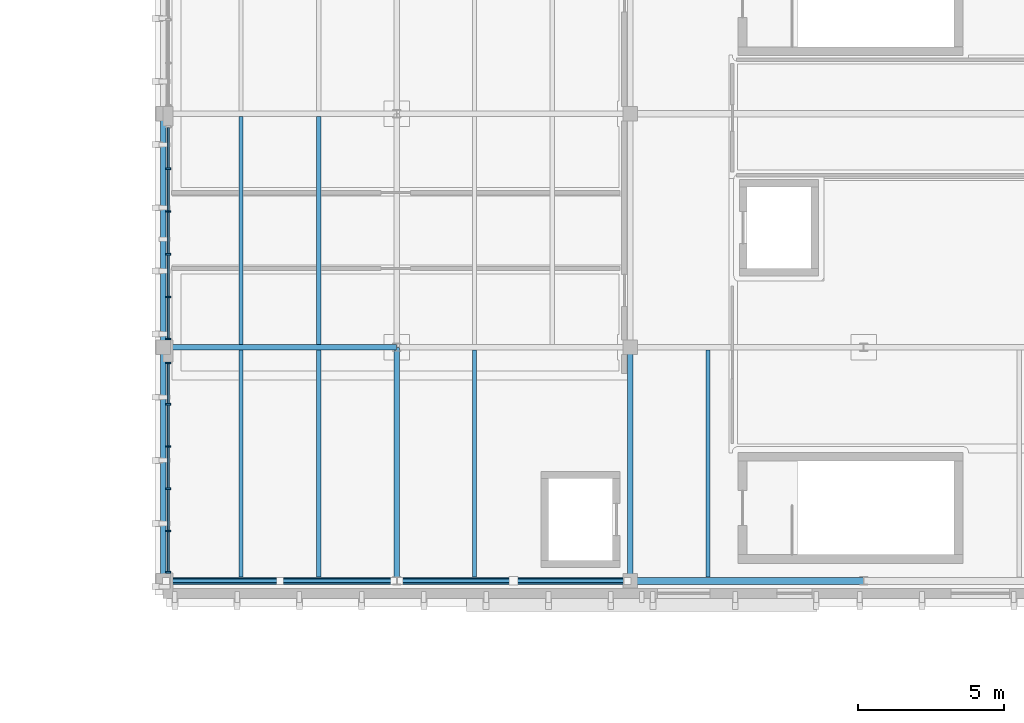
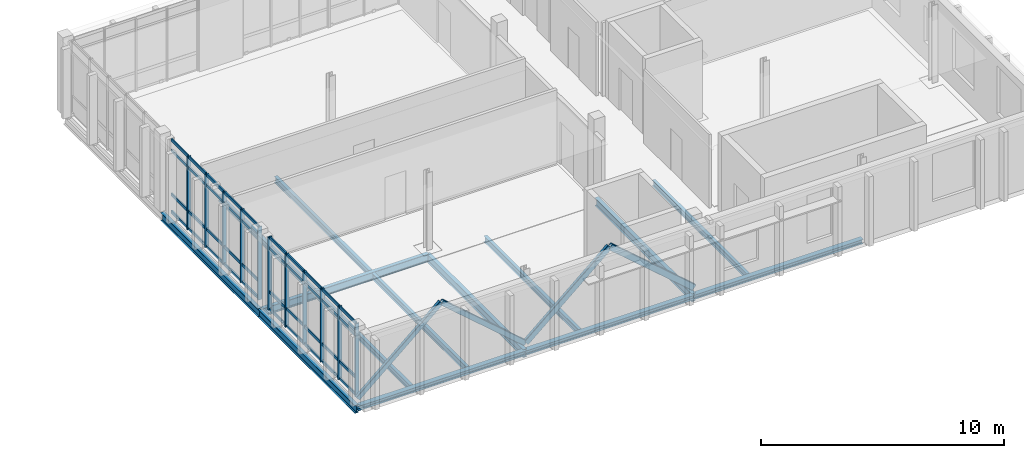
# One storey, part 3 of 28: 55 members, 14 beams, 2 elements without a shape of their own.
"""IFC4 building model written with IfcOpenShell, lengths in metres."""

from ifc_helpers import new_model, si_unit, direction, frame, origin, origin_2d, place, context, subcontext, project, spatial, rectangle, hollow_rectangle, i_section, extrude, material, material_profile, profile_set, type_object, element, aggregate, save


model = new_model("IFC4")

# Units and contexts
model_context = context("Model", 3, precision=1e-05, world=origin(), true_north=direction((0.0, 1.0)))
body_context = subcontext(model_context, "Body", "Model", "MODEL_VIEW")
ifc_project = project(units=[si_unit("LENGTHUNIT", "METRE"), si_unit("AREAUNIT", "SQUARE_METRE"), si_unit("VOLUMEUNIT", "CUBIC_METRE"), si_unit("PLANEANGLEUNIT", "RADIAN"), si_unit("MASSUNIT", "GRAM", prefix="KILO")], contexts=[model_context])

# Site, building, storey
site_placement = place(None, origin())
site = spatial("IfcSite", under=ifc_project, at=site_placement, CompositionType="ELEMENT")
building_placement = place(site_placement, origin())
building = spatial("IfcBuilding", under=site, at=building_placement, Name="Cymarion Research Institute", CompositionType="ELEMENT")
storey_placement = place(building_placement, frame((0.0, 0.0, 30.60009765625)))
storey = spatial("IfcBuildingStorey", under=building, at=storey_placement, Name="L07", CompositionType="ELEMENT", Elevation=30.60009765625)

# Curtain wall, members
ifc_material_1 = material(Name="Anodised aluminium unitised curtain wall with Low-E glazing", Category="aluminium")
curtain_wall_type_1 = type_object("IfcCurtainWallType", Name="UNITISED CURTAIN WALL CW76 7330X3660", PredefinedType="NOTDEFINED", material=ifc_material_1)
curtain_wall_1_placement = place(storey_placement, origin())
curtain_wall_1 = element("IfcCurtainWall", 1, at=curtain_wall_1_placement, inside=storey, type_object=curtain_wall_type_1, Name="L07 V4 unitised curtain wall CW76 #241", PredefinedType="NOTDEFINED")
ifc_material_2 = material(Name="Anodised aluminium framing", Category="aluminium")
ifc_material_profile_1 = material_profile(ifc_material_2, rectangle(XDim=0.06005859375, YDim=0.179931640625, at=origin_2d()), Name="ALU MULLION 60x180")
ifc_profile_set_1 = profile_set([ifc_material_profile_1], Name="Anodised aluminium framing")
member_type_1 = type_object("IfcMemberType", Name="CURTAIN WALL MULLION ML01 60X180", PredefinedType="MULLION", material=ifc_profile_set_1)
member_1_placement = place(storey_placement, frame((14.77001953125, 61.620361328125, 0.0), z_axis=(0.0, 0.0, 1.0), x_axis=(0.0, -1.0, 0.0)))
member_1 = element("IfcMember", 2, at=member_1_placement, type_object=member_type_1, Name="CW76 mullion 2", PredefinedType="MULLION", context=body_context, shape_type="SweptSolid", body=[
    extrude(rectangle(XDim=0.06005859375, YDim=0.179931640625, at=origin_2d()), origin(), (0.0, 0.0, 1.0), 3.659912109375),
])
member_2_placement = place(storey_placement, frame((14.77001953125, 60.1552734375, 0.0), z_axis=(0.0, 0.0, 1.0), x_axis=(0.0, -1.0, 0.0)))
member_2 = element("IfcMember", 3, at=member_2_placement, type_object=member_type_1, Name="CW76 mullion 3", PredefinedType="MULLION", context=body_context, shape_type="SweptSolid", body=[
    extrude(rectangle(XDim=0.06005859375, YDim=0.179931640625, at=origin_2d()), origin(), (0.0, 0.0, 1.0), 3.659912109375),
])
member_3_placement = place(storey_placement, frame((14.77001953125, 58.690185546875, 0.0), z_axis=(0.0, 0.0, 1.0), x_axis=(0.0, -1.0, 0.0)))
member_3 = element("IfcMember", 4, at=member_3_placement, type_object=member_type_1, Name="CW76 mullion 4", PredefinedType="MULLION", context=body_context, shape_type="SweptSolid", body=[
    extrude(rectangle(XDim=0.06005859375, YDim=0.179931640625, at=origin_2d()), origin(), (0.0, 0.0, 1.0), 3.659912109375),
])
member_4_placement = place(storey_placement, frame((14.77001953125, 57.22509765625, 0.0), z_axis=(0.0, 0.0, 1.0), x_axis=(0.0, -1.0, 0.0)))
member_4 = element("IfcMember", 5, at=member_4_placement, type_object=member_type_1, Name="CW76 mullion 5", PredefinedType="MULLION", context=body_context, shape_type="SweptSolid", body=[
    extrude(rectangle(XDim=0.06005859375, YDim=0.179931640625, at=origin_2d()), origin(), (0.0, 0.0, 1.0), 3.659912109375),
])
member_5_placement = place(storey_placement, frame((14.77001953125, 55.7900390625, 0.0), z_axis=(0.0, 0.0, 1.0), x_axis=(0.0, -1.0, 0.0)))
member_5 = element("IfcMember", 6, at=member_5_placement, type_object=member_type_1, Name="CW76 mullion 6", PredefinedType="MULLION", context=body_context, shape_type="SweptSolid", body=[
    extrude(rectangle(XDim=0.06005859375, YDim=0.179931640625, at=origin_2d()), origin(), (0.0, 0.0, 1.0), 3.659912109375),
])

curtain_wall_type_2 = type_object("IfcCurtainWallType", Name="UNITISED CURTAIN WALL CW77 7230X3660", PredefinedType="NOTDEFINED", material=ifc_material_1)
curtain_wall_2_placement = place(storey_placement, origin())
curtain_wall_2 = element("IfcCurtainWall", 7, at=curtain_wall_2_placement, inside=storey, type_object=curtain_wall_type_2, Name="L07 V4 unitised curtain wall CW77 #242", PredefinedType="NOTDEFINED")
member_6_placement = place(storey_placement, frame((14.77001953125, 54.962646484375, 0.0), z_axis=(0.0, 0.0, 1.0), x_axis=(0.0, -1.0, 0.0)))
member_6 = element("IfcMember", 8, at=member_6_placement, type_object=member_type_1, Name="CW77 mullion 1", PredefinedType="MULLION", context=body_context, shape_type="SweptSolid", body=[
    extrude(rectangle(XDim=0.06005859375, YDim=0.179931640625, at=origin_2d()), origin(), (0.0, 0.0, 1.0), 3.659912109375),
])
member_7_placement = place(storey_placement, frame((14.77001953125, 53.546142578125, 0.0), z_axis=(0.0, 0.0, 1.0), x_axis=(0.0, -1.0, 0.0)))
member_7 = element("IfcMember", 9, at=member_7_placement, type_object=member_type_1, Name="CW77 mullion 2", PredefinedType="MULLION", context=body_context, shape_type="SweptSolid", body=[
    extrude(rectangle(XDim=0.06005859375, YDim=0.179931640625, at=origin_2d()), origin(), (0.0, 0.0, 1.0), 3.659912109375),
])
member_8_placement = place(storey_placement, frame((14.77001953125, 52.099609375, 0.0), z_axis=(0.0, 0.0, 1.0), x_axis=(0.0, -1.0, 0.0)))
member_8 = element("IfcMember", 10, at=member_8_placement, type_object=member_type_1, Name="CW77 mullion 3", PredefinedType="MULLION", context=body_context, shape_type="SweptSolid", body=[
    extrude(rectangle(XDim=0.06005859375, YDim=0.179931640625, at=origin_2d()), origin(), (0.0, 0.0, 1.0), 3.659912109375),
])
member_9_placement = place(storey_placement, frame((14.77001953125, 50.653076171875, 0.0), z_axis=(0.0, 0.0, 1.0), x_axis=(0.0, -1.0, 0.0)))
member_9 = element("IfcMember", 11, at=member_9_placement, type_object=member_type_1, Name="CW77 mullion 4", PredefinedType="MULLION", context=body_context, shape_type="SweptSolid", body=[
    extrude(rectangle(XDim=0.06005859375, YDim=0.179931640625, at=origin_2d()), origin(), (0.0, 0.0, 1.0), 3.659912109375),
])
member_10_placement = place(storey_placement, frame((14.77001953125, 49.20654296875, 0.0), z_axis=(0.0, 0.0, 1.0), x_axis=(0.0, -1.0, 0.0)))
member_10 = element("IfcMember", 12, at=member_10_placement, type_object=member_type_1, Name="CW77 mullion 5", PredefinedType="MULLION", context=body_context, shape_type="SweptSolid", body=[
    extrude(rectangle(XDim=0.06005859375, YDim=0.179931640625, at=origin_2d()), origin(), (0.0, 0.0, 1.0), 3.659912109375),
])
member_11_placement = place(storey_placement, frame((14.77001953125, 47.7900390625, 0.0), z_axis=(0.0, 0.0, 1.0), x_axis=(0.0, -1.0, 0.0)))
member_11 = element("IfcMember", 13, at=member_11_placement, type_object=member_type_1, Name="CW77 mullion 6", PredefinedType="MULLION", context=body_context, shape_type="SweptSolid", body=[
    extrude(rectangle(XDim=0.06005859375, YDim=0.179931640625, at=origin_2d()), origin(), (0.0, 0.0, 1.0), 3.659912109375),
])

# Member
ifc_material_profile_2 = material_profile(ifc_material_2, rectangle(XDim=0.06005859375, YDim=0.14990234375, at=origin_2d()), Name="ALU TRANSOM 60x150")
ifc_profile_set_2 = profile_set([ifc_material_profile_2], Name="Anodised aluminium framing")
member_type_2 = type_object("IfcMemberType", Name="CURTAIN WALL TRANSOM TR01 60X150", PredefinedType="USERDEFINED", material=ifc_profile_set_2)
member_12_placement = place(storey_placement, frame((14.77001953125, 63.025390625, 0.02978515625), z_axis=(0.0, -1.0, 0.0), x_axis=(1.0, 0.0, 0.0)))
member_12 = element("IfcMember", 14, at=member_12_placement, type_object=member_type_2, Name="CW76 transom 1.1", ObjectType="TRANSOM", PredefinedType="USERDEFINED", context=body_context, shape_type="SweptSolid", body=[
    extrude(rectangle(XDim=0.06005859375, YDim=0.14990234375, at=origin_2d()), origin(), (0.0, 0.0, 1.0), 1.375244140625),
])

member_13_placement = place(storey_placement, frame((14.77001953125, 63.025390625, 0.89990234375), z_axis=(0.0, -1.0, 0.0), x_axis=(1.0, 0.0, 0.0)))
member_13 = element("IfcMember", 15, at=member_13_placement, type_object=member_type_2, Name="CW76 transom 1.2", ObjectType="TRANSOM", PredefinedType="USERDEFINED", context=body_context, shape_type="SweptSolid", body=[
    extrude(rectangle(XDim=0.06005859375, YDim=0.14990234375, at=origin_2d()), origin(), (0.0, 0.0, 1.0), 1.375244140625),
])

member_14_placement = place(storey_placement, frame((14.77001953125, 63.025390625, 3.10986328125), z_axis=(0.0, -1.0, 0.0), x_axis=(1.0, 0.0, 0.0)))
member_14 = element("IfcMember", 16, at=member_14_placement, type_object=member_type_2, Name="CW76 transom 1.3", ObjectType="TRANSOM", PredefinedType="USERDEFINED", context=body_context, shape_type="SweptSolid", body=[
    extrude(rectangle(XDim=0.06005859375, YDim=0.14990234375, at=origin_2d()), origin(), (0.0, 0.0, 1.0), 1.375244140625),
])

member_15_placement = place(storey_placement, frame((14.77001953125, 63.025390625, 3.6298828125), z_axis=(0.0, -1.0, 0.0), x_axis=(1.0, 0.0, 0.0)))
member_15 = element("IfcMember", 17, at=member_15_placement, type_object=member_type_2, Name="CW76 transom 1.4", ObjectType="TRANSOM", PredefinedType="USERDEFINED", context=body_context, shape_type="SweptSolid", body=[
    extrude(rectangle(XDim=0.06005859375, YDim=0.14990234375, at=origin_2d()), origin(), (0.0, 0.0, 1.0), 1.375244140625),
])

member_16_placement = place(storey_placement, frame((14.77001953125, 61.59033203125, 0.02978515625), z_axis=(0.0, -1.0, 0.0), x_axis=(1.0, 0.0, 0.0)))
member_16 = element("IfcMember", 18, at=member_16_placement, type_object=member_type_2, Name="CW76 transom 2.1", ObjectType="TRANSOM", PredefinedType="USERDEFINED", context=body_context, shape_type="SweptSolid", body=[
    extrude(rectangle(XDim=0.06005859375, YDim=0.14990234375, at=origin_2d()), origin(), (0.0, 0.0, 1.0), 1.4052734375),
])

member_17_placement = place(storey_placement, frame((14.77001953125, 61.59033203125, 0.89990234375), z_axis=(0.0, -1.0, 0.0), x_axis=(1.0, 0.0, 0.0)))
member_17 = element("IfcMember", 19, at=member_17_placement, type_object=member_type_2, Name="CW76 transom 2.2", ObjectType="TRANSOM", PredefinedType="USERDEFINED", context=body_context, shape_type="SweptSolid", body=[
    extrude(rectangle(XDim=0.06005859375, YDim=0.14990234375, at=origin_2d()), origin(), (0.0, 0.0, 1.0), 1.4052734375),
])

member_18_placement = place(storey_placement, frame((14.77001953125, 61.59033203125, 3.10986328125), z_axis=(0.0, -1.0, 0.0), x_axis=(1.0, 0.0, 0.0)))
member_18 = element("IfcMember", 20, at=member_18_placement, type_object=member_type_2, Name="CW76 transom 2.3", ObjectType="TRANSOM", PredefinedType="USERDEFINED", context=body_context, shape_type="SweptSolid", body=[
    extrude(rectangle(XDim=0.06005859375, YDim=0.14990234375, at=origin_2d()), origin(), (0.0, 0.0, 1.0), 1.4052734375),
])

member_19_placement = place(storey_placement, frame((14.77001953125, 61.59033203125, 3.6298828125), z_axis=(0.0, -1.0, 0.0), x_axis=(1.0, 0.0, 0.0)))
member_19 = element("IfcMember", 21, at=member_19_placement, type_object=member_type_2, Name="CW76 transom 2.4", ObjectType="TRANSOM", PredefinedType="USERDEFINED", context=body_context, shape_type="SweptSolid", body=[
    extrude(rectangle(XDim=0.06005859375, YDim=0.14990234375, at=origin_2d()), origin(), (0.0, 0.0, 1.0), 1.4052734375),
])

member_20_placement = place(storey_placement, frame((14.77001953125, 60.125244140625, 0.02978515625), z_axis=(0.0, -1.0, 0.0), x_axis=(1.0, 0.0, 0.0)))
member_20 = element("IfcMember", 22, at=member_20_placement, type_object=member_type_2, Name="CW76 transom 3.1", ObjectType="TRANSOM", PredefinedType="USERDEFINED", context=body_context, shape_type="SweptSolid", body=[
    extrude(rectangle(XDim=0.06005859375, YDim=0.14990234375, at=origin_2d()), origin(), (0.0, 0.0, 1.0), 1.405029296875),
])

member_21_placement = place(storey_placement, frame((14.77001953125, 60.125244140625, 0.89990234375), z_axis=(0.0, -1.0, 0.0), x_axis=(1.0, 0.0, 0.0)))
member_21 = element("IfcMember", 23, at=member_21_placement, type_object=member_type_2, Name="CW76 transom 3.2", ObjectType="TRANSOM", PredefinedType="USERDEFINED", context=body_context, shape_type="SweptSolid", body=[
    extrude(rectangle(XDim=0.06005859375, YDim=0.14990234375, at=origin_2d()), origin(), (0.0, 0.0, 1.0), 1.405029296875),
])

member_22_placement = place(storey_placement, frame((14.77001953125, 60.125244140625, 3.10986328125), z_axis=(0.0, -1.0, 0.0), x_axis=(1.0, 0.0, 0.0)))
member_22 = element("IfcMember", 24, at=member_22_placement, type_object=member_type_2, Name="CW76 transom 3.3", ObjectType="TRANSOM", PredefinedType="USERDEFINED", context=body_context, shape_type="SweptSolid", body=[
    extrude(rectangle(XDim=0.06005859375, YDim=0.14990234375, at=origin_2d()), origin(), (0.0, 0.0, 1.0), 1.405029296875),
])

member_23_placement = place(storey_placement, frame((14.77001953125, 60.125244140625, 3.6298828125), z_axis=(0.0, -1.0, 0.0), x_axis=(1.0, 0.0, 0.0)))
member_23 = element("IfcMember", 25, at=member_23_placement, type_object=member_type_2, Name="CW76 transom 3.4", ObjectType="TRANSOM", PredefinedType="USERDEFINED", context=body_context, shape_type="SweptSolid", body=[
    extrude(rectangle(XDim=0.06005859375, YDim=0.14990234375, at=origin_2d()), origin(), (0.0, 0.0, 1.0), 1.405029296875),
])

member_24_placement = place(storey_placement, frame((14.77001953125, 58.66015625, 0.02978515625), z_axis=(0.0, -1.0, 0.0), x_axis=(1.0, 0.0, 0.0)))
member_24 = element("IfcMember", 26, at=member_24_placement, type_object=member_type_2, Name="CW76 transom 4.1", ObjectType="TRANSOM", PredefinedType="USERDEFINED", context=body_context, shape_type="SweptSolid", body=[
    extrude(rectangle(XDim=0.06005859375, YDim=0.14990234375, at=origin_2d()), origin(), (0.0, 0.0, 1.0), 1.405029296875),
])

member_25_placement = place(storey_placement, frame((14.77001953125, 58.66015625, 0.89990234375), z_axis=(0.0, -1.0, 0.0), x_axis=(1.0, 0.0, 0.0)))
member_25 = element("IfcMember", 27, at=member_25_placement, type_object=member_type_2, Name="CW76 transom 4.2", ObjectType="TRANSOM", PredefinedType="USERDEFINED", context=body_context, shape_type="SweptSolid", body=[
    extrude(rectangle(XDim=0.06005859375, YDim=0.14990234375, at=origin_2d()), origin(), (0.0, 0.0, 1.0), 1.405029296875),
])

member_26_placement = place(storey_placement, frame((14.77001953125, 58.66015625, 3.10986328125), z_axis=(0.0, -1.0, 0.0), x_axis=(1.0, 0.0, 0.0)))
member_26 = element("IfcMember", 28, at=member_26_placement, type_object=member_type_2, Name="CW76 transom 4.3", ObjectType="TRANSOM", PredefinedType="USERDEFINED", context=body_context, shape_type="SweptSolid", body=[
    extrude(rectangle(XDim=0.06005859375, YDim=0.14990234375, at=origin_2d()), origin(), (0.0, 0.0, 1.0), 1.405029296875),
])

member_27_placement = place(storey_placement, frame((14.77001953125, 58.66015625, 3.6298828125), z_axis=(0.0, -1.0, 0.0), x_axis=(1.0, 0.0, 0.0)))
member_27 = element("IfcMember", 29, at=member_27_placement, type_object=member_type_2, Name="CW76 transom 4.4", ObjectType="TRANSOM", PredefinedType="USERDEFINED", context=body_context, shape_type="SweptSolid", body=[
    extrude(rectangle(XDim=0.06005859375, YDim=0.14990234375, at=origin_2d()), origin(), (0.0, 0.0, 1.0), 1.405029296875),
])

member_28_placement = place(storey_placement, frame((14.77001953125, 57.195068359375, 0.02978515625), z_axis=(0.0, -1.0, 0.0), x_axis=(1.0, 0.0, 0.0)))
member_28 = element("IfcMember", 30, at=member_28_placement, type_object=member_type_2, Name="CW76 transom 5.1", ObjectType="TRANSOM", PredefinedType="USERDEFINED", context=body_context, shape_type="SweptSolid", body=[
    extrude(rectangle(XDim=0.06005859375, YDim=0.14990234375, at=origin_2d()), origin(), (0.0, 0.0, 1.0), 1.375),
])

member_29_placement = place(storey_placement, frame((14.77001953125, 57.195068359375, 0.89990234375), z_axis=(0.0, -1.0, 0.0), x_axis=(1.0, 0.0, 0.0)))
member_29 = element("IfcMember", 31, at=member_29_placement, type_object=member_type_2, Name="CW76 transom 5.2", ObjectType="TRANSOM", PredefinedType="USERDEFINED", context=body_context, shape_type="SweptSolid", body=[
    extrude(rectangle(XDim=0.06005859375, YDim=0.14990234375, at=origin_2d()), origin(), (0.0, 0.0, 1.0), 1.375),
])

member_30_placement = place(storey_placement, frame((14.77001953125, 57.195068359375, 3.10986328125), z_axis=(0.0, -1.0, 0.0), x_axis=(1.0, 0.0, 0.0)))
member_30 = element("IfcMember", 32, at=member_30_placement, type_object=member_type_2, Name="CW76 transom 5.3", ObjectType="TRANSOM", PredefinedType="USERDEFINED", context=body_context, shape_type="SweptSolid", body=[
    extrude(rectangle(XDim=0.06005859375, YDim=0.14990234375, at=origin_2d()), origin(), (0.0, 0.0, 1.0), 1.375),
])

member_31_placement = place(storey_placement, frame((14.77001953125, 57.195068359375, 3.6298828125), z_axis=(0.0, -1.0, 0.0), x_axis=(1.0, 0.0, 0.0)))
member_31 = element("IfcMember", 33, at=member_31_placement, type_object=member_type_2, Name="CW76 transom 5.4", ObjectType="TRANSOM", PredefinedType="USERDEFINED", context=body_context, shape_type="SweptSolid", body=[
    extrude(rectangle(XDim=0.06005859375, YDim=0.14990234375, at=origin_2d()), origin(), (0.0, 0.0, 1.0), 1.375),
])

aggregate(curtain_wall_1, [member_1, member_2, member_3, member_4, member_5, member_12, member_13, member_14, member_15, member_16, member_17, member_18, member_19, member_20, member_21, member_22, member_23, member_24, member_25, member_26, member_27, member_28, member_29, member_30, member_31])

member_32_placement = place(storey_placement, frame((14.77001953125, 54.9326171875, 0.02978515625), z_axis=(0.0, -1.0, 0.0), x_axis=(1.0, 0.0, 0.0)))
member_32 = element("IfcMember", 34, at=member_32_placement, type_object=member_type_2, Name="CW77 transom 1.1", ObjectType="TRANSOM", PredefinedType="USERDEFINED", context=body_context, shape_type="SweptSolid", body=[
    extrude(rectangle(XDim=0.06005859375, YDim=0.14990234375, at=origin_2d()), origin(), (0.0, 0.0, 1.0), 1.3564453125),
])

member_33_placement = place(storey_placement, frame((14.77001953125, 54.9326171875, 0.89990234375), z_axis=(0.0, -1.0, 0.0), x_axis=(1.0, 0.0, 0.0)))
member_33 = element("IfcMember", 35, at=member_33_placement, type_object=member_type_2, Name="CW77 transom 1.2", ObjectType="TRANSOM", PredefinedType="USERDEFINED", context=body_context, shape_type="SweptSolid", body=[
    extrude(rectangle(XDim=0.06005859375, YDim=0.14990234375, at=origin_2d()), origin(), (0.0, 0.0, 1.0), 1.3564453125),
])

member_34_placement = place(storey_placement, frame((14.77001953125, 54.9326171875, 3.10986328125), z_axis=(0.0, -1.0, 0.0), x_axis=(1.0, 0.0, 0.0)))
member_34 = element("IfcMember", 36, at=member_34_placement, type_object=member_type_2, Name="CW77 transom 1.3", ObjectType="TRANSOM", PredefinedType="USERDEFINED", context=body_context, shape_type="SweptSolid", body=[
    extrude(rectangle(XDim=0.06005859375, YDim=0.14990234375, at=origin_2d()), origin(), (0.0, 0.0, 1.0), 1.3564453125),
])

member_35_placement = place(storey_placement, frame((14.77001953125, 54.9326171875, 3.6298828125), z_axis=(0.0, -1.0, 0.0), x_axis=(1.0, 0.0, 0.0)))
member_35 = element("IfcMember", 37, at=member_35_placement, type_object=member_type_2, Name="CW77 transom 1.4", ObjectType="TRANSOM", PredefinedType="USERDEFINED", context=body_context, shape_type="SweptSolid", body=[
    extrude(rectangle(XDim=0.06005859375, YDim=0.14990234375, at=origin_2d()), origin(), (0.0, 0.0, 1.0), 1.3564453125),
])

member_36_placement = place(storey_placement, frame((14.77001953125, 53.51611328125, 0.02978515625), z_axis=(0.0, -1.0, 0.0), x_axis=(1.0, 0.0, 0.0)))
member_36 = element("IfcMember", 38, at=member_36_placement, type_object=member_type_2, Name="CW77 transom 2.1", ObjectType="TRANSOM", PredefinedType="USERDEFINED", context=body_context, shape_type="SweptSolid", body=[
    extrude(rectangle(XDim=0.06005859375, YDim=0.14990234375, at=origin_2d()), origin(), (0.0, 0.0, 1.0), 1.386474609375),
])

member_37_placement = place(storey_placement, frame((14.77001953125, 53.51611328125, 0.89990234375), z_axis=(0.0, -1.0, 0.0), x_axis=(1.0, 0.0, 0.0)))
member_37 = element("IfcMember", 39, at=member_37_placement, type_object=member_type_2, Name="CW77 transom 2.2", ObjectType="TRANSOM", PredefinedType="USERDEFINED", context=body_context, shape_type="SweptSolid", body=[
    extrude(rectangle(XDim=0.06005859375, YDim=0.14990234375, at=origin_2d()), origin(), (0.0, 0.0, 1.0), 1.386474609375),
])

member_38_placement = place(storey_placement, frame((14.77001953125, 53.51611328125, 3.10986328125), z_axis=(0.0, -1.0, 0.0), x_axis=(1.0, 0.0, 0.0)))
member_38 = element("IfcMember", 40, at=member_38_placement, type_object=member_type_2, Name="CW77 transom 2.3", ObjectType="TRANSOM", PredefinedType="USERDEFINED", context=body_context, shape_type="SweptSolid", body=[
    extrude(rectangle(XDim=0.06005859375, YDim=0.14990234375, at=origin_2d()), origin(), (0.0, 0.0, 1.0), 1.386474609375),
])

member_39_placement = place(storey_placement, frame((14.77001953125, 53.51611328125, 3.6298828125), z_axis=(0.0, -1.0, 0.0), x_axis=(1.0, 0.0, 0.0)))
member_39 = element("IfcMember", 41, at=member_39_placement, type_object=member_type_2, Name="CW77 transom 2.4", ObjectType="TRANSOM", PredefinedType="USERDEFINED", context=body_context, shape_type="SweptSolid", body=[
    extrude(rectangle(XDim=0.06005859375, YDim=0.14990234375, at=origin_2d()), origin(), (0.0, 0.0, 1.0), 1.386474609375),
])

member_40_placement = place(storey_placement, frame((14.77001953125, 52.069580078125, 0.02978515625), z_axis=(0.0, -1.0, 0.0), x_axis=(1.0, 0.0, 0.0)))
member_40 = element("IfcMember", 42, at=member_40_placement, type_object=member_type_2, Name="CW77 transom 3.1", ObjectType="TRANSOM", PredefinedType="USERDEFINED", context=body_context, shape_type="SweptSolid", body=[
    extrude(rectangle(XDim=0.06005859375, YDim=0.14990234375, at=origin_2d()), origin(), (0.0, 0.0, 1.0), 1.386474609375),
])

member_41_placement = place(storey_placement, frame((14.77001953125, 52.069580078125, 0.89990234375), z_axis=(0.0, -1.0, 0.0), x_axis=(1.0, 0.0, 0.0)))
member_41 = element("IfcMember", 43, at=member_41_placement, type_object=member_type_2, Name="CW77 transom 3.2", ObjectType="TRANSOM", PredefinedType="USERDEFINED", context=body_context, shape_type="SweptSolid", body=[
    extrude(rectangle(XDim=0.06005859375, YDim=0.14990234375, at=origin_2d()), origin(), (0.0, 0.0, 1.0), 1.386474609375),
])

member_42_placement = place(storey_placement, frame((14.77001953125, 52.069580078125, 3.10986328125), z_axis=(0.0, -1.0, 0.0), x_axis=(1.0, 0.0, 0.0)))
member_42 = element("IfcMember", 44, at=member_42_placement, type_object=member_type_2, Name="CW77 transom 3.3", ObjectType="TRANSOM", PredefinedType="USERDEFINED", context=body_context, shape_type="SweptSolid", body=[
    extrude(rectangle(XDim=0.06005859375, YDim=0.14990234375, at=origin_2d()), origin(), (0.0, 0.0, 1.0), 1.386474609375),
])

member_43_placement = place(storey_placement, frame((14.77001953125, 52.069580078125, 3.6298828125), z_axis=(0.0, -1.0, 0.0), x_axis=(1.0, 0.0, 0.0)))
member_43 = element("IfcMember", 45, at=member_43_placement, type_object=member_type_2, Name="CW77 transom 3.4", ObjectType="TRANSOM", PredefinedType="USERDEFINED", context=body_context, shape_type="SweptSolid", body=[
    extrude(rectangle(XDim=0.06005859375, YDim=0.14990234375, at=origin_2d()), origin(), (0.0, 0.0, 1.0), 1.386474609375),
])

member_44_placement = place(storey_placement, frame((14.77001953125, 50.623046875, 0.02978515625), z_axis=(0.0, -1.0, 0.0), x_axis=(1.0, 0.0, 0.0)))
member_44 = element("IfcMember", 46, at=member_44_placement, type_object=member_type_2, Name="CW77 transom 4.1", ObjectType="TRANSOM", PredefinedType="USERDEFINED", context=body_context, shape_type="SweptSolid", body=[
    extrude(rectangle(XDim=0.06005859375, YDim=0.14990234375, at=origin_2d()), origin(), (0.0, 0.0, 1.0), 1.386474609375),
])

member_45_placement = place(storey_placement, frame((14.77001953125, 50.623046875, 0.89990234375), z_axis=(0.0, -1.0, 0.0), x_axis=(1.0, 0.0, 0.0)))
member_45 = element("IfcMember", 47, at=member_45_placement, type_object=member_type_2, Name="CW77 transom 4.2", ObjectType="TRANSOM", PredefinedType="USERDEFINED", context=body_context, shape_type="SweptSolid", body=[
    extrude(rectangle(XDim=0.06005859375, YDim=0.14990234375, at=origin_2d()), origin(), (0.0, 0.0, 1.0), 1.386474609375),
])

member_46_placement = place(storey_placement, frame((14.77001953125, 50.623046875, 3.10986328125), z_axis=(0.0, -1.0, 0.0), x_axis=(1.0, 0.0, 0.0)))
member_46 = element("IfcMember", 48, at=member_46_placement, type_object=member_type_2, Name="CW77 transom 4.3", ObjectType="TRANSOM", PredefinedType="USERDEFINED", context=body_context, shape_type="SweptSolid", body=[
    extrude(rectangle(XDim=0.06005859375, YDim=0.14990234375, at=origin_2d()), origin(), (0.0, 0.0, 1.0), 1.386474609375),
])

member_47_placement = place(storey_placement, frame((14.77001953125, 50.623046875, 3.6298828125), z_axis=(0.0, -1.0, 0.0), x_axis=(1.0, 0.0, 0.0)))
member_47 = element("IfcMember", 49, at=member_47_placement, type_object=member_type_2, Name="CW77 transom 4.4", ObjectType="TRANSOM", PredefinedType="USERDEFINED", context=body_context, shape_type="SweptSolid", body=[
    extrude(rectangle(XDim=0.06005859375, YDim=0.14990234375, at=origin_2d()), origin(), (0.0, 0.0, 1.0), 1.386474609375),
])

member_48_placement = place(storey_placement, frame((14.77001953125, 49.176513671875, 0.02978515625), z_axis=(0.0, -1.0, 0.0), x_axis=(1.0, 0.0, 0.0)))
member_48 = element("IfcMember", 50, at=member_48_placement, type_object=member_type_2, Name="CW77 transom 5.1", ObjectType="TRANSOM", PredefinedType="USERDEFINED", context=body_context, shape_type="SweptSolid", body=[
    extrude(rectangle(XDim=0.06005859375, YDim=0.14990234375, at=origin_2d()), origin(), (0.0, 0.0, 1.0), 1.3564453125),
])

member_49_placement = place(storey_placement, frame((14.77001953125, 49.176513671875, 0.89990234375), z_axis=(0.0, -1.0, 0.0), x_axis=(1.0, 0.0, 0.0)))
member_49 = element("IfcMember", 51, at=member_49_placement, type_object=member_type_2, Name="CW77 transom 5.2", ObjectType="TRANSOM", PredefinedType="USERDEFINED", context=body_context, shape_type="SweptSolid", body=[
    extrude(rectangle(XDim=0.06005859375, YDim=0.14990234375, at=origin_2d()), origin(), (0.0, 0.0, 1.0), 1.3564453125),
])

member_50_placement = place(storey_placement, frame((14.77001953125, 49.176513671875, 3.10986328125), z_axis=(0.0, -1.0, 0.0), x_axis=(1.0, 0.0, 0.0)))
member_50 = element("IfcMember", 52, at=member_50_placement, type_object=member_type_2, Name="CW77 transom 5.3", ObjectType="TRANSOM", PredefinedType="USERDEFINED", context=body_context, shape_type="SweptSolid", body=[
    extrude(rectangle(XDim=0.06005859375, YDim=0.14990234375, at=origin_2d()), origin(), (0.0, 0.0, 1.0), 1.3564453125),
])

member_51_placement = place(storey_placement, frame((14.77001953125, 49.176513671875, 3.6298828125), z_axis=(0.0, -1.0, 0.0), x_axis=(1.0, 0.0, 0.0)))
member_51 = element("IfcMember", 53, at=member_51_placement, type_object=member_type_2, Name="CW77 transom 5.4", ObjectType="TRANSOM", PredefinedType="USERDEFINED", context=body_context, shape_type="SweptSolid", body=[
    extrude(rectangle(XDim=0.06005859375, YDim=0.14990234375, at=origin_2d()), origin(), (0.0, 0.0, 1.0), 1.3564453125),
])

aggregate(curtain_wall_2, [member_6, member_7, member_8, member_9, member_10, member_11, member_32, member_33, member_34, member_35, member_36, member_37, member_38, member_39, member_40, member_41, member_42, member_43, member_44, member_45, member_46, member_47, member_48, member_49, member_50, member_51])

# Beams
ifc_material_3 = material(Name="Steel S355", Category="steel")
ifc_material_profile_3 = material_profile(ifc_material_3, i_section(OverallWidth=0.179931640625, OverallDepth=0.39990234375, WebThickness=0.008544921875, FlangeThickness=0.013427734375, FilletRadius=0.02099609375, at=origin_2d()), Name="IPE 400")
ifc_profile_set_3 = profile_set([ifc_material_profile_3], Name="Steel S355")
beam_type_1 = type_object("IfcBeamType", Name="PRIMARY GIRDER BM05 IPE 400", PredefinedType="BEAM", material=ifc_profile_set_3)
beam_placement = place(storey_placement, frame((14.60595703125, 55.5, -0.420166015625), z_axis=(1.0, 0.0, 0.0), x_axis=(0.0, 1.0, 0.0)))
element("IfcBeam", 54, at=beam_placement, inside=storey, type_object=beam_type_1, Name="L07 V4 girder BM05 #2227", PredefinedType="BEAM", context=body_context, shape_type="SweptSolid", body=[
    extrude(i_section(OverallWidth=0.179931640625, OverallDepth=0.39990234375, WebThickness=0.008544921875, FlangeThickness=0.013427734375, FilletRadius=0.02099609375, at=origin_2d()), origin(), (0.0, 0.0, 1.0), 7.988037109375),
])
for number, where, z_axis, x_axis, name in (
    (55, (14.60009765625, 47.506103515625, -0.420166015625), (0.0, 1.0, 0.0), (-1.0, 0.0, 0.0), "L07 V4 girder BM05 #2237"),
    (56, (14.60009765625, 55.506103515625, -0.420166015625), (0.0, 1.0, 0.0), (-1.0, 0.0, 0.0), "L07 V4 girder BM05 #2238"),
    (57, (22.60009765625, 47.506103515625, -0.420166015625), (0.0, 1.0, 0.0), (-1.0, 0.0, 0.0), "L07 V4 girder BM05 #2240"),
    (58, (30.60009765625, 47.506103515625, -0.420166015625), (0.0, 1.0, 0.0), (-1.0, 0.0, 0.0), "L07 V4 girder BM05 #2243"),
):
    element("IfcBeam", number, at=place(storey_placement, frame(where, z_axis=z_axis, x_axis=x_axis)), inside=storey, type_object=beam_type_1, Name=name, PredefinedType="BEAM", context=body_context, shape_type="SweptSolid", body=[
        extrude(i_section(OverallWidth=0.179931640625, OverallDepth=0.39990234375, WebThickness=0.008544921875, FlangeThickness=0.013427734375, FilletRadius=0.02099609375, at=origin_2d()), origin(), (0.0, 0.0, 1.0), 7.98779296875),
    ])
ifc_material_profile_4 = material_profile(ifc_material_3, i_section(OverallWidth=0.14990234375, OverallDepth=0.300048828125, WebThickness=0.007080078125, FlangeThickness=0.0107421875, FilletRadius=0.014892578125, at=origin_2d()), Name="IPE 300")
ifc_profile_set_4 = profile_set([ifc_material_profile_4], Name="Steel S355")
beam_type_2 = type_object("IfcBeamType", Name="SECONDARY JOIST JS02 IPE 300", PredefinedType="JOIST", material=ifc_profile_set_4)
for number, where, z_axis, x_axis, name in (
    (59, (17.2666015625, 47.6240234375, -0.3701171875), (0.0, 1.0, 0.0), (-1.0, 0.0, 0.0), "L07 V4 secondary joist JS02 #2248"),
    (60, (19.933349609375, 47.6240234375, -0.3701171875), (0.0, 1.0, 0.0), (-1.0, 0.0, 0.0), "L07 V4 secondary joist JS02 #2249"),
    (61, (25.2666015625, 47.6240234375, -0.3701171875), (0.0, 1.0, 0.0), (-1.0, 0.0, 0.0), "L07 V4 secondary joist JS02 #2250"),
    (62, (33.2666015625, 47.6240234375, -0.3701171875), (0.0, 1.0, 0.0), (-1.0, 0.0, 0.0), "L07 V4 secondary joist JS02 #2251"),
):
    element("IfcBeam", number, at=place(storey_placement, frame(where, z_axis=z_axis, x_axis=x_axis)), inside=storey, type_object=beam_type_2, Name=name, PredefinedType="JOIST", context=body_context, shape_type="SweptSolid", body=[
        extrude(i_section(OverallWidth=0.14990234375, OverallDepth=0.300048828125, WebThickness=0.007080078125, FlangeThickness=0.0107421875, FilletRadius=0.014892578125, at=origin_2d()), origin(), (0.0, 0.0, 1.0), 7.781982421875),
    ])
for number, where, z_axis, x_axis, name in (
    (63, (17.2666015625, 55.593994140625, -0.3701171875), (0.0, 1.0, 0.0), (-1.0, 0.0, 0.0), "L07 V4 secondary joist JS02 #2253"),
    (64, (19.933349609375, 55.593994140625, -0.3701171875), (0.0, 1.0, 0.0), (-1.0, 0.0, 0.0), "L07 V4 secondary joist JS02 #2254"),
):
    element("IfcBeam", number, at=place(storey_placement, frame(where, z_axis=z_axis, x_axis=x_axis)), inside=storey, type_object=beam_type_2, Name=name, PredefinedType="JOIST", context=body_context, shape_type="SweptSolid", body=[
        extrude(i_section(OverallWidth=0.14990234375, OverallDepth=0.300048828125, WebThickness=0.007080078125, FlangeThickness=0.0107421875, FilletRadius=0.014892578125, at=origin_2d()), origin(), (0.0, 0.0, 1.0), 7.81201171875),
    ])
ifc_material_profile_5 = material_profile(ifc_material_3, i_section(OverallWidth=0.239990234375, OverallDepth=0.22998046875, WebThickness=0.007568359375, FlangeThickness=0.011962890625, FilletRadius=0.02099609375, at=origin_2d()), Name="HEA 240")
ifc_profile_set_5 = profile_set([ifc_material_profile_5], Name="Steel S355")
beam_type_3 = type_object("IfcBeamType", Name="SPANDREL BEAM SPB03 HEA 240", PredefinedType="SPANDREL", material=ifc_profile_set_5)
for number, where, z_axis, x_axis, name in (
    (65, (14.60595703125, 47.5, -0.335205078125), (1.0, 0.0, 0.0), (0.0, 1.0, 0.0), "L07 V4 girder SPB03 #2223"),
    (66, (22.60595703125, 47.5, -0.335205078125), (1.0, 0.0, 0.0), (0.0, 1.0, 0.0), "L07 V4 girder SPB03 #2224"),
    (67, (30.60595703125, 47.5, -0.335205078125), (1.0, 0.0, 0.0), (0.0, 1.0, 0.0), "L07 V4 girder SPB03 #2225"),
):
    element("IfcBeam", number, at=place(storey_placement, frame(where, z_axis=z_axis, x_axis=x_axis)), inside=storey, type_object=beam_type_3, Name=name, PredefinedType="SPANDREL", context=body_context, shape_type="SweptSolid", body=[
        extrude(i_section(OverallWidth=0.239990234375, OverallDepth=0.22998046875, WebThickness=0.007568359375, FlangeThickness=0.011962890625, FilletRadius=0.02099609375, at=origin_2d()), origin(), (0.0, 0.0, 1.0), 7.988037109375),
    ])

# Members
ifc_material_profile_6 = material_profile(ifc_material_3, hollow_rectangle(XDim=0.14990234375, YDim=0.25, WallThickness=0.010009765625, InnerFilletRadius=0.014892578125, OuterFilletRadius=0.02490234375, at=origin_2d()), Name="RHS 250x150x10")
ifc_profile_set_6 = profile_set([ifc_material_profile_6], Name="Steel S355")
member_type_3 = type_object("IfcMemberType", Name="STRUCTURAL MEMBER BR09 RHS 250x150x10", PredefinedType="BRACE", material=ifc_profile_set_6)
for number, where, z_axis, x_axis, name in (
    (68, (14.615234375, 47.5, 0.119873046875), (0.756332128238, 0.0, 0.654187826082), (0.0, 1.0, 0.0), "L07 V4 seismic chevron brace BR09 #1"),
    (69, (22.584716796875, 47.5, 0.119873046875), (-0.756332128238, 0.0, 0.654187826082), (0.0, -1.0, 0.0), "L07 V4 seismic chevron brace BR09 #2"),
):
    element("IfcMember", number, at=place(storey_placement, frame(where, z_axis=z_axis, x_axis=x_axis)), inside=storey, type_object=member_type_3, Name=name, PredefinedType="BRACE", context=body_context, shape_type="SweptSolid", body=[
        extrude(hollow_rectangle(XDim=0.14990234375, YDim=0.25, WallThickness=0.010009765625, InnerFilletRadius=0.014892578125, OuterFilletRadius=0.02490234375, at=origin_2d()), origin(), (0.0, 0.0, 1.0), 5.25830078125),
    ])
ifc_material_profile_7 = material_profile(ifc_material_3, hollow_rectangle(XDim=0.14990234375, YDim=0.300048828125, WallThickness=0.012451171875, InnerFilletRadius=0.018798828125, OuterFilletRadius=0.03125, at=origin_2d()), Name="RHS 300x150x12.5")
ifc_profile_set_7 = profile_set([ifc_material_profile_7], Name="Steel S355")
member_type_4 = type_object("IfcMemberType", Name="STRUCTURAL MEMBER BR10 RHS 300x150x12.5", PredefinedType="BRACE", material=ifc_profile_set_7)
for number, where, z_axis, x_axis, name in (
    (70, (22.615234375, 47.5, 0.119873046875), (0.756332128238, 0.0, 0.654187826082), (0.0, 1.0, 0.0), "L07 V4 seismic chevron brace BR10 #1"),
    (71, (30.584716796875, 47.5, 0.119873046875), (-0.756332128238, 0.0, 0.654187826082), (0.0, -1.0, 0.0), "L07 V4 seismic chevron brace BR10 #2"),
):
    element("IfcMember", number, at=place(storey_placement, frame(where, z_axis=z_axis, x_axis=x_axis)), inside=storey, type_object=member_type_4, Name=name, PredefinedType="BRACE", context=body_context, shape_type="SweptSolid", body=[
        extrude(hollow_rectangle(XDim=0.14990234375, YDim=0.300048828125, WallThickness=0.012451171875, InnerFilletRadius=0.018798828125, OuterFilletRadius=0.03125, at=origin_2d()), origin(), (0.0, 0.0, 1.0), 5.25830078125),
    ])

save(model, "model.ifc")
